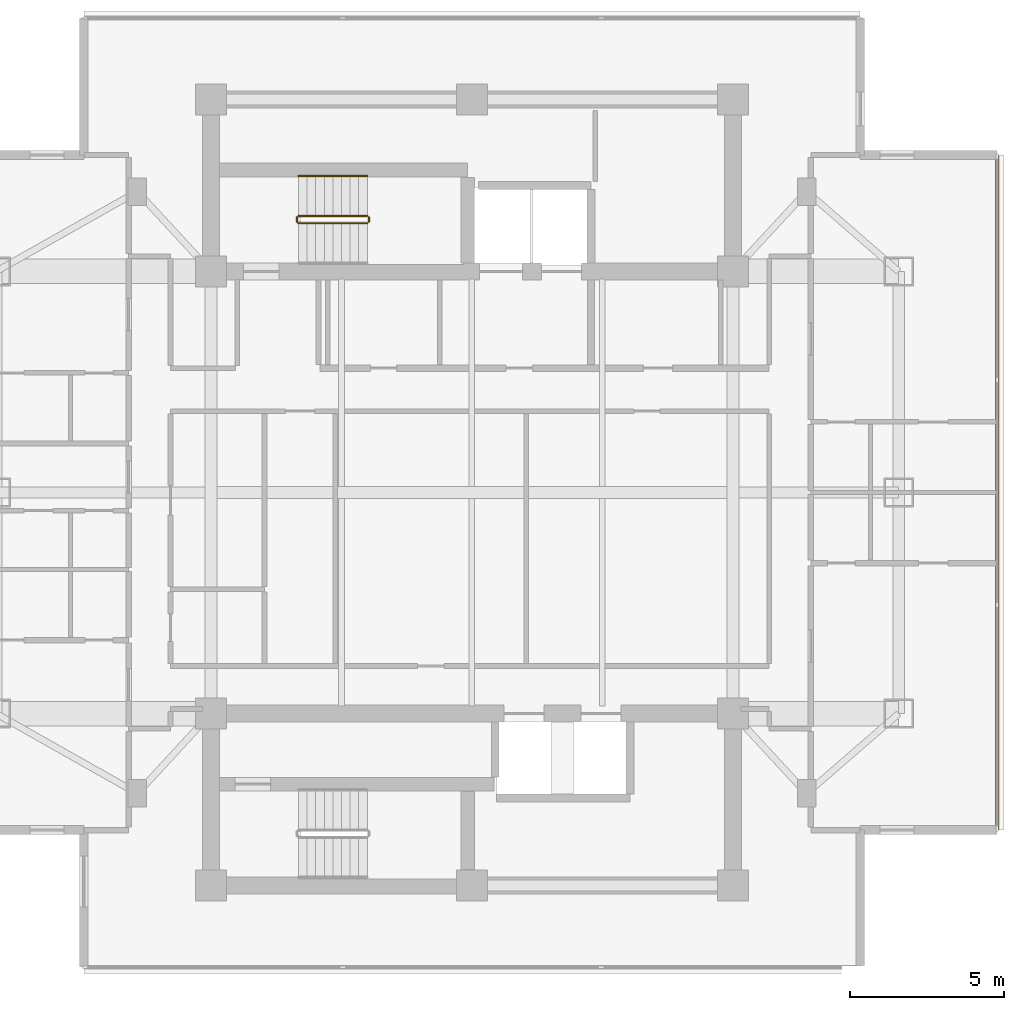
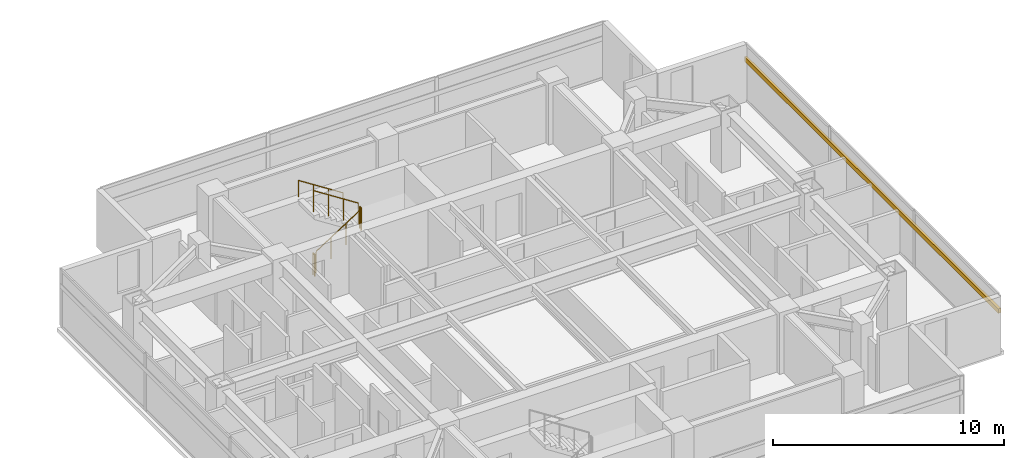
# One storey, part 23 of 24: 5 railings, 1 shading device.
"""IFC4 building model written with IfcOpenShell, lengths in metres."""

import ifcopenshell
import ifcopenshell.guid

model = None  # the IFC model being written
_history = None  # IfcOwnerHistory: only IFC2X3 demands one
_inside = {}  # id of a spatial element -> (the spatial element, [elements in it])
_under = {}  # id of a project, library or spatial element -> (it, [spatial elements below it])
_declared = {}  # id of a project -> (the project, [libraries it declares])
_typed = {}  # id of a type object -> (the type object, [elements of that type])
_made_of = {}  # id of a material, layer set ... -> (it, [elements and type objects made of it])


def new_model(schema):
    """Start an empty IFC model of exactly this schema.

    Asked for "IFC4X3", IfcOpenShell would pick the latest addendum, in which some entities
    have other attributes; the version numbers below select the first issue.
    IFC2X3 requires an IfcOwnerHistory on every rooted entity: one is made here for all.
    """
    global model, _history
    if schema == "IFC4X3":
        model = ifcopenshell.file(schema_version=(4, 3, 0, 0))
    else:
        model = ifcopenshell.file(schema=schema)
    _inside.clear()
    _under.clear()
    _declared.clear()
    _typed.clear()
    _made_of.clear()
    _history = None
    if model.schema == "IFC2X3":
        org = make("IfcOrganization", Name="unknown")
        user = make(
            "IfcPersonAndOrganization",
            ThePerson=make("IfcPerson", FamilyName="unknown"),
            TheOrganization=org,
        )
        app = make(
            "IfcApplication",
            ApplicationDeveloper=org,
            Version="unknown",
            ApplicationFullName="unknown",
            ApplicationIdentifier="unknown",
        )
        _history = make(
            "IfcOwnerHistory",
            OwningUser=user,
            OwningApplication=app,
            ChangeAction="ADDED",
            CreationDate=0,
        )
    return model


def make(cls, **values):
    """One entity of the class cls with the attributes given. An attribute that is None is left unset."""
    return model.create_entity(
        cls, **{name: value for name, value in values.items() if value is not None}
    )


def rooted(cls, **values):
    """An entity with a GlobalId (a new one), such as an element, a storey or a relation."""
    return make(cls, GlobalId=ifcopenshell.guid.new(), OwnerHistory=_history, **values)


def si_unit(unit_type, name, prefix=None):
    """IfcSIUnit, for example si_unit("LENGTHUNIT", "METRE", prefix="MILLI")."""
    return make("IfcSIUnit", UnitType=unit_type, Prefix=prefix, Name=name)


def assignment(units):
    """IfcUnitAssignment: the units of a project."""
    return None if units is None else make("IfcUnitAssignment", Units=units)


def point(xyz):
    """IfcCartesianPoint."""
    return None if xyz is None else make("IfcCartesianPoint", Coordinates=xyz)


def direction(xyz):
    """IfcDirection."""
    return None if xyz is None else make("IfcDirection", DirectionRatios=xyz)


def frame(location, z_axis=None, x_axis=None):
    """IfcAxis2Placement3D, a coordinate frame: its origin and axes. An axis left out is left unset."""
    return make(
        "IfcAxis2Placement3D",
        Location=point(location),
        Axis=direction(z_axis),
        RefDirection=direction(x_axis),
    )


def frame_2d(location, x_axis=None):
    """IfcAxis2Placement2D, a coordinate frame in the plane: its origin and x axis."""
    return make(
        "IfcAxis2Placement2D", Location=point(location), RefDirection=direction(x_axis)
    )


def origin():
    """The frame at (0, 0, 0) with its axes left unset."""
    return frame((0.0, 0.0, 0.0))


def origin_2d():
    """The frame at (0, 0) in the plane with its x axis left unset."""
    return frame_2d((0.0, 0.0))


def place(relative_to, where):
    """IfcLocalPlacement: puts the frame where relative to a parent placement (None: the world)."""
    return make(
        "IfcLocalPlacement", PlacementRelTo=relative_to, RelativePlacement=where
    )


def context(
    kind, dimensions, precision=None, world=None, true_north=None, identifier=None
):
    """IfcGeometricRepresentationContext, for example the 3D "Model" context."""
    return make(
        "IfcGeometricRepresentationContext",
        ContextIdentifier=identifier,
        ContextType=kind,
        CoordinateSpaceDimension=dimensions,
        Precision=precision,
        WorldCoordinateSystem=world,
        TrueNorth=true_north,
    )


def subcontext(parent, identifier, kind, view, scale=None):
    """IfcGeometricRepresentationSubContext, for example "Body" below "Model"."""
    return make(
        "IfcGeometricRepresentationSubContext",
        ContextIdentifier=identifier,
        ContextType=kind,
        ParentContext=parent,
        TargetScale=scale,
        TargetView=view,
    )


def project(units=None, contexts=None):
    """IfcProject with its units and contexts."""
    return rooted(
        "IfcProject",
        Name="project",
        RepresentationContexts=contexts,
        UnitsInContext=assignment(units),
    )


def spatial(cls, under=None, at=None, **own):
    """A site, building, storey or space (cls), placed at a placement, below another one or the project."""
    s = rooted(cls, ObjectPlacement=at, **own)
    if under is not None:
        _under.setdefault(under.id(), (under, []))[1].append(s)
    return s


def profile(cls, at=None, kind="AREA", **sizes):
    """A parametric profile (cls). Its sizes go by their IFC names, for example OverallWidth=200.0."""
    return make(cls, ProfileType=kind, Position=at, **sizes)


def rectangle(**sizes):
    """IfcRectangleProfileDef."""
    return profile("IfcRectangleProfileDef", **sizes)


def circle(**sizes):
    """IfcCircleProfileDef."""
    return profile("IfcCircleProfileDef", **sizes)


def extrude(swept, where, along, depth):
    """IfcExtrudedAreaSolid: the profile swept, set in the frame where, extruded along a direction by depth."""
    return make(
        "IfcExtrudedAreaSolid",
        SweptArea=swept,
        Position=where,
        ExtrudedDirection=direction(along),
        Depth=depth,
    )


def shape(context_of_items, identifier, shape_type, items):
    """IfcShapeRepresentation: the items that make up one representation, for example the "Body"."""
    return make(
        "IfcShapeRepresentation",
        ContextOfItems=context_of_items,
        RepresentationIdentifier=identifier,
        RepresentationType=shape_type,
        Items=items,
    )


def material(Name=None, Category=None):
    """IfcMaterial."""
    return make("IfcMaterial", Name=Name, Category=Category)


def material_profile(
    of_material, cross_section, Name=None, Category=None, Priority=None
):
    """IfcMaterialProfile: a cross section and its material."""
    return make(
        "IfcMaterialProfile",
        Name=Name,
        Material=of_material,
        Profile=cross_section,
        Priority=Priority,
        Category=Category,
    )


def profile_set(profiles, Name=None, composite=None):
    """IfcMaterialProfileSet."""
    return make(
        "IfcMaterialProfileSet",
        Name=Name,
        MaterialProfiles=profiles,
        CompositeProfile=composite,
    )


def made_of(thing, what):
    """Note that an element or type object is made of a material, layer set ...; save() writes the relation."""
    if what is not None:
        _made_of.setdefault(what.id(), (what, []))[1].append(thing)
    return thing


def type_object(cls, material=None, **own):
    """A type object (cls), such as IfcWallType, which elements share."""
    return made_of(rooted(cls, **own), material)


def element(
    cls,
    number,
    at=None,
    inside=None,
    cuts=None,
    type_object=None,
    material=None,
    context=None,
    identifier="Body",
    shape_type=None,
    held_by="IfcProductDefinitionShape",
    body=None,
    shapes=None,
    **own,
):
    """One element of the class cls, such as IfcWall. Its Tag is "e" and its number.

    at: its placement. inside: the storey or other place that contains it. cuts: it is an
    opening in that element (IfcRelVoidsElement). A single representation is given by context,
    identifier, shape_type and body (its items); several are given by shapes. held_by: the class
    of the entity that holds the representations. save() writes the other relations.
    """
    e = rooted(cls, Tag="e%d" % number, ObjectPlacement=at, **own)
    if body is not None:
        shapes = [shape(context, identifier, shape_type, body)]
    if shapes is not None:
        e.Representation = make(held_by, Representations=shapes)
    if inside is not None:
        _inside.setdefault(inside.id(), (inside, []))[1].append(e)
    if cuts is not None:
        rooted(
            "IfcRelVoidsElement", RelatingBuildingElement=cuts, RelatedOpeningElement=e
        )
    if type_object is not None:
        _typed.setdefault(type_object.id(), (type_object, []))[1].append(e)
    return made_of(e, material)


def aggregate(whole, parts):
    """IfcRelAggregates: a whole, such as a stair, and the parts it consists of."""
    return rooted("IfcRelAggregates", RelatingObject=whole, RelatedObjects=parts)


def save(model, path):
    """Write the relations noted so far, then the file.

    IfcRelAggregates (storeys below a building ...), IfcRelContainedInSpatialStructure (elements
    in a storey), IfcRelDefinesByType, IfcRelAssociatesMaterial and IfcRelDeclares: one each for
    every whole, place, type object, material and project.
    """
    for whole, parts in _under.values():
        aggregate(whole, parts)
    for where, things in _inside.values():
        rooted(
            "IfcRelContainedInSpatialStructure",
            RelatedElements=things,
            RelatingStructure=where,
        )
    for kind, things in _typed.values():
        rooted("IfcRelDefinesByType", RelatedObjects=things, RelatingType=kind)
    for what, things in _made_of.values():
        rooted("IfcRelAssociatesMaterial", RelatedObjects=things, RelatingMaterial=what)
    for by, libraries in _declared.values():
        rooted("IfcRelDeclares", RelatingContext=by, RelatedDefinitions=libraries)
    model.write(path)


model = new_model("IFC4")

# Units and contexts
model_context = context("Model", 3, precision=1e-05, world=origin(), true_north=direction((0.0, 1.0)))
body_context = subcontext(model_context, "Body", "Model", "MODEL_VIEW")
ifc_project = project(units=[si_unit("LENGTHUNIT", "METRE"), si_unit("AREAUNIT", "SQUARE_METRE"), si_unit("VOLUMEUNIT", "CUBIC_METRE"), si_unit("PLANEANGLEUNIT", "RADIAN"), si_unit("MASSUNIT", "GRAM", prefix="KILO")], contexts=[model_context])

# Site, building, storey
site_placement = place(None, origin())
site = spatial("IfcSite", under=ifc_project, at=site_placement, CompositionType="ELEMENT")
building_placement = place(site_placement, origin())
building = spatial("IfcBuilding", under=site, at=building_placement, Name="Mirazonda Arch Towers", CompositionType="ELEMENT")
storey_placement = place(building_placement, frame((0.0, 0.0, 160.89990234375)))
storey = spatial("IfcBuildingStorey", under=building, at=storey_placement, Name="L45", CompositionType="ELEMENT", Elevation=160.89990234375)

# Shading device
ifc_material_1 = material(Name="Kiln-Fired Architectural Terracotta", Category="masonry")
ifc_material_profile = material_profile(ifc_material_1, rectangle(XDim=0.1201171875, YDim=0.239990234375, at=origin_2d()), Name="TERRA-BAG-120x240")
ifc_profile_set = profile_set([ifc_material_profile], Name="Kiln-Fired Architectural Terracotta")
shading_device_type = type_object("IfcShadingDeviceType", Name="BAGUETTE-1", PredefinedType="USERDEFINED", material=ifc_profile_set)
shading_device_placement = place(storey_placement, frame((93.6083984375, 17.007080078125, 2.181640625), z_axis=(0.0, 1.0, 0.0), x_axis=(-1.0, 0.0, 0.0)))
element("IfcShadingDevice", 1, at=shading_device_placement, inside=storey, type_object=shading_device_type, Name="L45 Glazed Terracotta Sun-Screen Baguette CW-L45-T2-E", ObjectType="BAGUETTE", PredefinedType="USERDEFINED", context=body_context, shape_type="SweptSolid", body=[
    extrude(rectangle(XDim=0.1201171875, YDim=0.239990234375, at=origin_2d()), origin(), (0.0, 0.0, 1.0), 21.98583984375),
])

# Railings
ifc_material_2 = material(Name="Architectural Brushed Steel S355", Category="steel")
railing_type_1 = type_object("IfcRailingType", Name="GUARD-STAIR-1120", PredefinedType="GUARDRAIL", material=ifc_material_2)
railing_1_placement = place(storey_placement, frame((70.85009765625, 36.77001953125, 0.1806640625)))
element("IfcRailing", 2, at=railing_1_placement, inside=storey, type_object=railing_type_1, Name="L45 ST-T2N stair guard 1", PredefinedType="GUARDRAIL", context=body_context, shape_type="SweptSolid", body=[
    extrude(circle(Radius=0.02392578125, at=origin_2d()), frame((0.0, 0.0, 1.1259765625), z_axis=(0.840436612492, 0.0, 0.541909863706), x_axis=(0.0, 1.0, 0.0)), (0.0, 0.0, 1.0), 2.665283203125),
    extrude(circle(Radius=0.02099609375, at=origin_2d()), origin(), (0.0, 0.0, 1.0), 1.101806640625),
    extrude(circle(Radius=0.02099609375, at=origin_2d()), frame((0.74658203125, 0.0, 0.4814453125)), (0.0, 0.0, 1.0), 1.101806640625),
    extrude(circle(Radius=0.02099609375, at=origin_2d()), frame((1.493408203125, 0.0, 0.962890625)), (0.0, 0.0, 1.0), 1.101806640625),
    extrude(circle(Radius=0.02099609375, at=origin_2d()), frame((2.239990234375, 0.0, 1.4443359375)), (0.0, 0.0, 1.0), 1.101806640625),
])
railing_2_placement = place(storey_placement, frame((73.139892578125, 36.820068359375, 1.625)))
element("IfcRailing", 3, at=railing_2_placement, inside=storey, type_object=railing_type_1, Name="L45 ST-T2N stair guard 2", PredefinedType="GUARDRAIL", context=body_context, shape_type="SweptSolid", body=[
    extrude(circle(Radius=0.02392578125, at=origin_2d()), frame((0.0, 0.0, 1.1259765625), z_axis=(0.0, 1.0, 0.0), x_axis=(-1.0, 0.0, 0.0)), (0.0, 0.0, 1.0), 0.139892578125),
    extrude(circle(Radius=0.02099609375, at=origin_2d()), origin(), (0.0, 0.0, 1.0), 1.101806640625),
    extrude(circle(Radius=0.02099609375, at=origin_2d()), frame((0.0, 0.139892578125, 0.0)), (0.0, 0.0, 1.0), 1.101806640625),
])
railing_3_placement = place(storey_placement, frame((73.090087890625, 37.010009765625, 1.8056640625)))
element("IfcRailing", 4, at=railing_3_placement, inside=storey, type_object=railing_type_1, Name="L45 ST-T2N stair guard 3", PredefinedType="GUARDRAIL", context=body_context, shape_type="SweptSolid", body=[
    extrude(circle(Radius=0.02392578125, at=origin_2d()), frame((0.0, 0.0, 1.1259765625), z_axis=(-0.840436612492, 0.0, 0.541909863706), x_axis=(0.0, -1.0, 0.0)), (0.0, 0.0, 1.0), 2.665283203125),
    extrude(circle(Radius=0.02099609375, at=origin_2d()), origin(), (0.0, 0.0, 1.0), 1.101806640625),
    extrude(circle(Radius=0.02099609375, at=origin_2d()), frame((-0.74658203125, 0.0, 0.4814453125)), (0.0, 0.0, 1.0), 1.101806640625),
    extrude(circle(Radius=0.02099609375, at=origin_2d()), frame((-1.493408203125, 0.0, 0.962890625)), (0.0, 0.0, 1.0), 1.101806640625),
    extrude(circle(Radius=0.02099609375, at=origin_2d()), frame((-2.239990234375, 0.0, 1.4443359375)), (0.0, 0.0, 1.0), 1.101806640625),
])
railing_4_placement = place(storey_placement, frame((70.800048828125, 36.820068359375, 0.0)))
element("IfcRailing", 5, at=railing_4_placement, inside=storey, type_object=railing_type_1, Name="L45 ST-T2N stair guard 4", PredefinedType="GUARDRAIL", context=body_context, shape_type="SweptSolid", body=[
    extrude(circle(Radius=0.02392578125, at=origin_2d()), frame((0.0, 0.0, 1.1259765625), z_axis=(0.0, 1.0, 0.0), x_axis=(-1.0, 0.0, 0.0)), (0.0, 0.0, 1.0), 0.139892578125),
    extrude(circle(Radius=0.02099609375, at=origin_2d()), origin(), (0.0, 0.0, 1.0), 1.101806640625),
    extrude(circle(Radius=0.02099609375, at=origin_2d()), frame((0.0, 0.139892578125, 0.0)), (0.0, 0.0, 1.0), 1.101806640625),
])
railing_type_2 = type_object("IfcRailingType", Name="HANDRAIL-915", PredefinedType="HANDRAIL", material=ifc_material_2)
railing_5_placement = place(storey_placement, frame((73.090087890625, 38.31005859375, 1.8056640625)))
element("IfcRailing", 6, at=railing_5_placement, inside=storey, type_object=railing_type_2, Name="L45 ST-T2N stair handrail 2", PredefinedType="HANDRAIL", context=body_context, shape_type="SweptSolid", body=[
    extrude(circle(Radius=0.02392578125, at=origin_2d()), frame((0.0, 0.0, 0.8759765625), z_axis=(-0.840436612492, 0.0, 0.541909863706), x_axis=(0.0, -1.0, 0.0)), (0.0, 0.0, 1.0), 2.665283203125),
    extrude(circle(Radius=0.02099609375, at=origin_2d()), origin(), (0.0, 0.0, 1.0), 0.851806640625),
    extrude(circle(Radius=0.02099609375, at=origin_2d()), frame((-0.74658203125, 0.0, 0.4814453125)), (0.0, 0.0, 1.0), 0.851806640625),
    extrude(circle(Radius=0.02099609375, at=origin_2d()), frame((-1.493408203125, 0.0, 0.962890625)), (0.0, 0.0, 1.0), 0.851806640625),
    extrude(circle(Radius=0.02099609375, at=origin_2d()), frame((-2.239990234375, 0.0, 1.4443359375)), (0.0, 0.0, 1.0), 0.851806640625),
])

save(model, "model.ifc")
